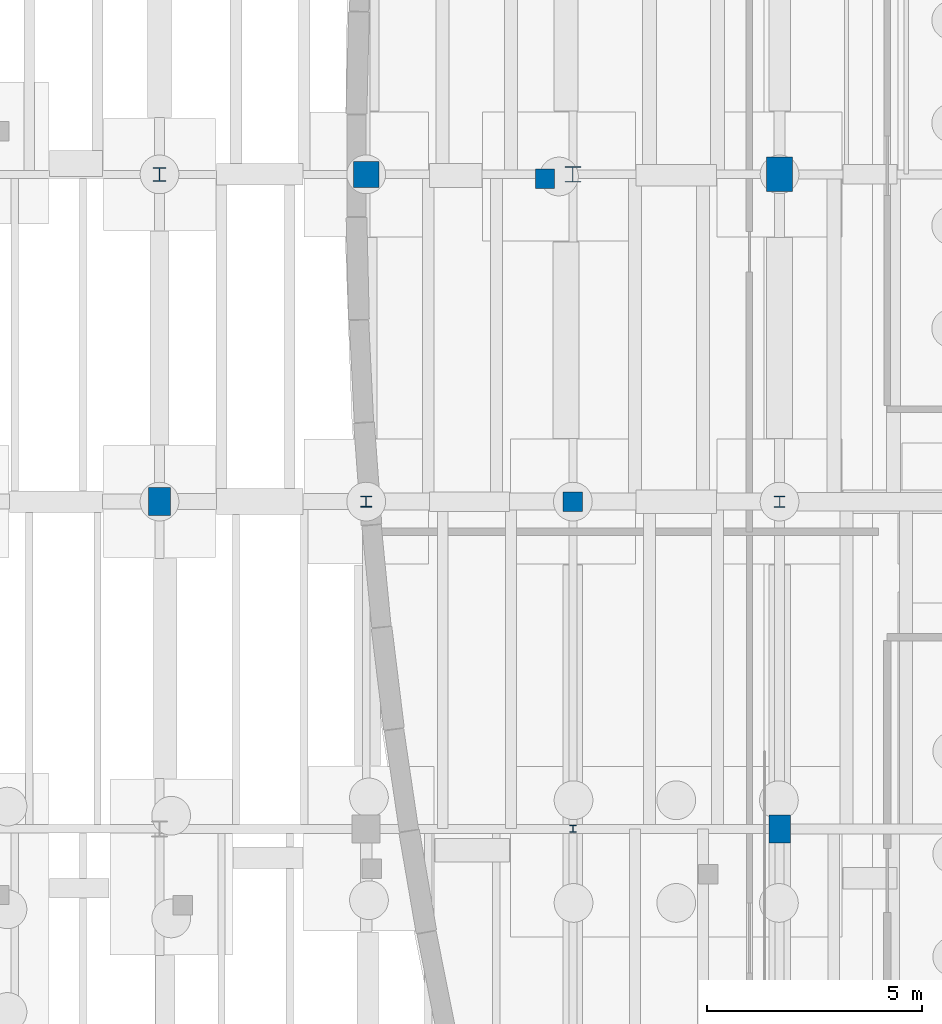
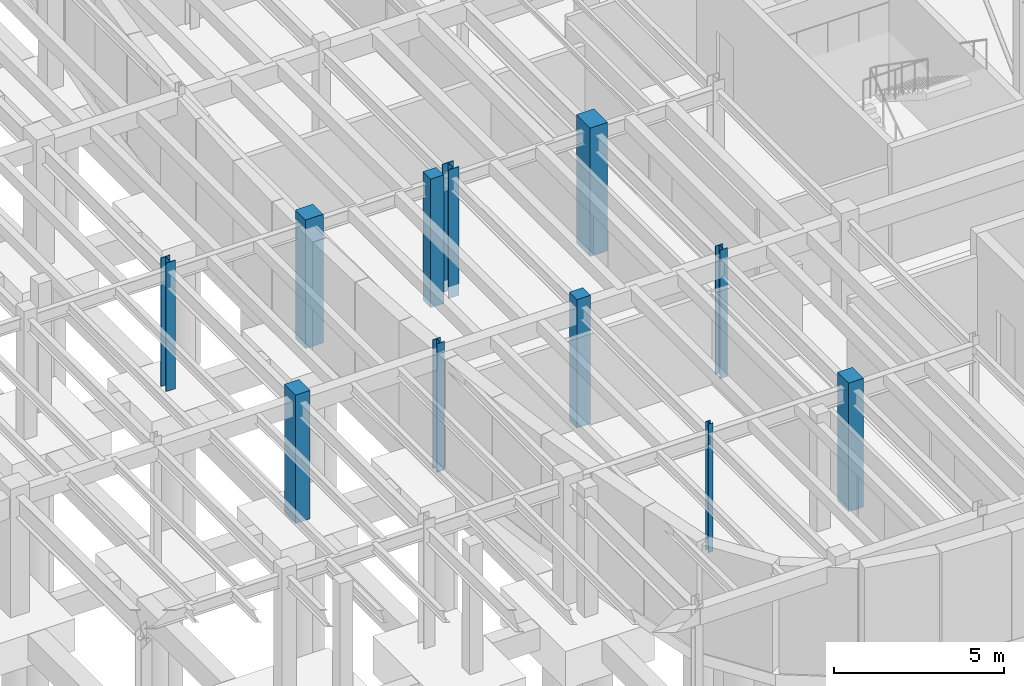
# One storey, part 20 of 45: 11 columns.
"""IFC4 building model written with IfcOpenShell, lengths in metres."""

from ifc_helpers import new_model, si_unit, direction, frame, origin, origin_2d, place, context, subcontext, project, spatial, rectangle, i_section, extrude, material, material_profile, profile_set, type_object, element, save


model = new_model("IFC4")

# Units and contexts
model_context = context("Model", 3, precision=1e-05, world=origin(), true_north=direction((0.0, 1.0)))
body_context = subcontext(model_context, "Body", "Model", "MODEL_VIEW")
ifc_project = project(units=[si_unit("LENGTHUNIT", "METRE"), si_unit("AREAUNIT", "SQUARE_METRE"), si_unit("VOLUMEUNIT", "CUBIC_METRE"), si_unit("PLANEANGLEUNIT", "RADIAN"), si_unit("MASSUNIT", "GRAM", prefix="KILO")], contexts=[model_context])

# Site, building, storey
site_placement = place(None, origin())
site = spatial("IfcSite", under=ifc_project, at=site_placement, CompositionType="ELEMENT")
building_placement = place(site_placement, origin())
building = spatial("IfcBuilding", under=site, at=building_placement, Name="Corveleigh Park Community Centre", CompositionType="ELEMENT")
storey_placement = place(building_placement, frame((0.0, 0.0, -4.199951171875)))
storey = spatial("IfcBuildingStorey", under=building, at=storey_placement, Name="B1", CompositionType="ELEMENT", Elevation=-4.199951171875)

# Columns
ifc_material_1 = material(Name="Concrete C40/50", Category="concrete")
ifc_material_profile_1 = material_profile(ifc_material_1, rectangle(XDim=0.449951171875, YDim=0.449951171875, at=origin_2d()), Name="RC-450x450", Category="concrete")
ifc_profile_set_1 = profile_set([ifc_material_profile_1], Name="Concrete C40/50")
column_type_1 = type_object("IfcColumnType", Name="COL-RC-450x450", PredefinedType="COLUMN", material=ifc_profile_set_1)
for number, where, z_axis, x_axis, name in (
    (1, (149.0, 73.800048828125, -0.4150390625), (0.0, 0.0, 1.0), (1.0, 0.0, 0.0), "Column V4-X4Y2 B1"),
    (2, (148.35302734375, 81.300048828125, -0.4150390625), (0.0, 0.0, 1.0), (1.0, 0.0, 0.0), "External deck support pier 138 B1"),
):
    element("IfcColumn", number, at=place(storey_placement, frame(where, z_axis=z_axis, x_axis=x_axis)), inside=storey, type_object=column_type_1, Name=name, PredefinedType="COLUMN", context=body_context, shape_type="SweptSolid", body=[
        extrude(rectangle(XDim=0.449951171875, YDim=0.449951171875, at=origin_2d()), origin(), (0.0, 0.0, 1.0), 4.614990234375),
    ])
ifc_material_profile_2 = material_profile(ifc_material_1, rectangle(XDim=0.5, YDim=0.64990234375, at=origin_2d()), Name="RC-500x650", Category="concrete")
ifc_profile_set_2 = profile_set([ifc_material_profile_2], Name="Concrete C40/50")
column_type_2 = type_object("IfcColumnType", Name="COL-RC-500x650", PredefinedType="COLUMN", material=ifc_profile_set_2)
for number, where, z_axis, x_axis, name in (
    (3, (139.39990234375, 73.800048828125, -0.4150390625), (0.0, 0.0, 1.0), (1.0, 0.0, 0.0), "Column V4-X2Y2 B1"),
    (4, (153.800048828125, 66.199951171875, -0.4150390625), (0.0, 0.0, 1.0), (1.0, 0.0, 0.0), "Column V4-X5Y1 B1"),
):
    element("IfcColumn", number, at=place(storey_placement, frame(where, z_axis=z_axis, x_axis=x_axis)), inside=storey, type_object=column_type_2, Name=name, PredefinedType="COLUMN", context=body_context, shape_type="SweptSolid", body=[
        extrude(rectangle(XDim=0.5, YDim=0.64990234375, at=origin_2d()), origin(), (0.0, 0.0, 1.0), 4.614990234375),
    ])
ifc_material_profile_3 = material_profile(ifc_material_1, rectangle(XDim=0.60009765625, YDim=0.60009765625, at=origin_2d()), Name="RC-600x600", Category="concrete")
ifc_profile_set_3 = profile_set([ifc_material_profile_3], Name="Concrete C40/50")
column_type_3 = type_object("IfcColumnType", Name="COL-RC-600x600", PredefinedType="COLUMN", material=ifc_profile_set_3)
column_1_placement = place(storey_placement, frame((144.199951171875, 81.39990234375, -0.4150390625), z_axis=(0.0, 0.0, 1.0), x_axis=(1.0, 0.0, 0.0)))
element("IfcColumn", 5, at=column_1_placement, inside=storey, type_object=column_type_3, Name="Column V4-X3Y3 B1", PredefinedType="COLUMN", context=body_context, shape_type="SweptSolid", body=[
    extrude(rectangle(XDim=0.60009765625, YDim=0.60009765625, at=origin_2d()), origin(), (0.0, 0.0, 1.0), 4.614990234375),
])
ifc_material_profile_4 = material_profile(ifc_material_1, rectangle(XDim=0.60009765625, YDim=0.800048828125, at=origin_2d()), Name="RC-600x800", Category="concrete")
ifc_profile_set_4 = profile_set([ifc_material_profile_4], Name="Concrete C40/50")
column_type_4 = type_object("IfcColumnType", Name="COL-RC-600x800", PredefinedType="COLUMN", material=ifc_profile_set_4)
column_2_placement = place(storey_placement, frame((153.800048828125, 81.39990234375, -0.4150390625), z_axis=(0.0, 0.0, 1.0), x_axis=(1.0, 0.0, 0.0)))
element("IfcColumn", 6, at=column_2_placement, inside=storey, type_object=column_type_4, Name="Column V4-X5Y3 B1", PredefinedType="COLUMN", context=body_context, shape_type="SweptSolid", body=[
    extrude(rectangle(XDim=0.60009765625, YDim=0.800048828125, at=origin_2d()), origin(), (0.0, 0.0, 1.0), 4.614990234375),
])
ifc_material_2 = material(Name="Steel S355", Category="steel")
ifc_material_profile_5 = material_profile(ifc_material_2, i_section(OverallWidth=0.154296875, OverallDepth=0.161865234375, WebThickness=0.008056640625, FlangeThickness=0.011474609375, at=origin_2d()), Name="UKC 152x152x37", Category="steel")
ifc_profile_set_5 = profile_set([ifc_material_profile_5], Name="Steel S355")
column_type_5 = type_object("IfcColumnType", Name="COL-STL-UKC152x37", PredefinedType="COLUMN", material=ifc_profile_set_5)
column_3_placement = place(storey_placement, frame((149.0, 66.199951171875, -0.4150390625), z_axis=(0.0, 0.0, 1.0), x_axis=(1.0, 0.0, 0.0)))
element("IfcColumn", 7, at=column_3_placement, inside=storey, type_object=column_type_5, Name="Column V4-X4Y1 B1", PredefinedType="COLUMN", context=body_context, shape_type="SweptSolid", body=[
    extrude(i_section(OverallWidth=0.154296875, OverallDepth=0.161865234375, WebThickness=0.008056640625, FlangeThickness=0.011474609375, at=origin_2d()), origin(), (0.0, 0.0, 1.0), 4.614990234375),
])
ifc_material_profile_6 = material_profile(ifc_material_2, i_section(OverallWidth=0.2587890625, OverallDepth=0.2666015625, WebThickness=0.0126953125, FlangeThickness=0.0205078125, at=origin_2d()), Name="UKC 254x254x107", Category="steel")
ifc_profile_set_6 = profile_set([ifc_material_profile_6], Name="Steel S355")
column_type_6 = type_object("IfcColumnType", Name="COL-STL-UKC254x107", PredefinedType="COLUMN", material=ifc_profile_set_6)
column_4_placement = place(storey_placement, frame((153.800048828125, 73.800048828125, -0.4150390625), z_axis=(0.0, 0.0, 1.0), x_axis=(1.0, 0.0, 0.0)))
element("IfcColumn", 8, at=column_4_placement, inside=storey, type_object=column_type_6, Name="Column V4-X5Y2 B1", PredefinedType="COLUMN", context=body_context, shape_type="SweptSolid", body=[
    extrude(i_section(OverallWidth=0.2587890625, OverallDepth=0.2666015625, WebThickness=0.0126953125, FlangeThickness=0.0205078125, at=origin_2d()), origin(), (0.0, 0.0, 1.0), 4.614990234375),
])
ifc_material_profile_7 = material_profile(ifc_material_2, i_section(OverallWidth=0.25634765625, OverallDepth=0.26025390625, WebThickness=0.01025390625, FlangeThickness=0.017333984375, at=origin_2d()), Name="UKC 254x254x89", Category="steel")
ifc_profile_set_7 = profile_set([ifc_material_profile_7], Name="Steel S355")
column_type_7 = type_object("IfcColumnType", Name="COL-STL-UKC254x89", PredefinedType="COLUMN", material=ifc_profile_set_7)
column_5_placement = place(storey_placement, frame((144.199951171875, 73.800048828125, -0.4150390625), z_axis=(0.0, 0.0, 1.0), x_axis=(1.0, 0.0, 0.0)))
element("IfcColumn", 9, at=column_5_placement, inside=storey, type_object=column_type_7, Name="Column V4-X3Y2 B1", PredefinedType="COLUMN", context=body_context, shape_type="SweptSolid", body=[
    extrude(i_section(OverallWidth=0.25634765625, OverallDepth=0.26025390625, WebThickness=0.01025390625, FlangeThickness=0.017333984375, at=origin_2d()), origin(), (0.0, 0.0, 1.0), 4.614990234375),
])
ifc_material_profile_8 = material_profile(ifc_material_2, i_section(OverallWidth=0.311279296875, OverallDepth=0.3271484375, WebThickness=0.015869140625, FlangeThickness=0.02490234375, at=origin_2d()), Name="UKC 305x305x158", Category="steel")
ifc_profile_set_8 = profile_set([ifc_material_profile_8], Name="Steel S355")
column_type_8 = type_object("IfcColumnType", Name="COL-STL-UKC305x158", PredefinedType="COLUMN", material=ifc_profile_set_8)
column_6_placement = place(storey_placement, frame((139.39990234375, 81.39990234375, -0.4150390625), z_axis=(0.0, 0.0, 1.0), x_axis=(1.0, 0.0, 0.0)))
element("IfcColumn", 10, at=column_6_placement, inside=storey, type_object=column_type_8, Name="Column V4-X2Y3 B1", PredefinedType="COLUMN", context=body_context, shape_type="SweptSolid", body=[
    extrude(i_section(OverallWidth=0.311279296875, OverallDepth=0.3271484375, WebThickness=0.015869140625, FlangeThickness=0.02490234375, at=origin_2d()), origin(), (0.0, 0.0, 1.0), 4.614990234375),
])
ifc_material_profile_9 = material_profile(ifc_material_2, i_section(OverallWidth=0.37060546875, OverallDepth=0.362060546875, WebThickness=0.01220703125, FlangeThickness=0.020751953125, at=origin_2d()), Name="UKC 356x368x153", Category="steel")
ifc_profile_set_9 = profile_set([ifc_material_profile_9], Name="Steel S355")
column_type_9 = type_object("IfcColumnType", Name="COL-STL-UKC356x153", PredefinedType="COLUMN", material=ifc_profile_set_9)
column_7_placement = place(storey_placement, frame((149.0, 81.39990234375, -0.4150390625), z_axis=(0.0, 0.0, 1.0), x_axis=(1.0, 0.0, 0.0)))
element("IfcColumn", 11, at=column_7_placement, inside=storey, type_object=column_type_9, Name="Column V4-X4Y3 B1", PredefinedType="COLUMN", context=body_context, shape_type="SweptSolid", body=[
    extrude(i_section(OverallWidth=0.37060546875, OverallDepth=0.362060546875, WebThickness=0.01220703125, FlangeThickness=0.020751953125, at=origin_2d()), origin(), (0.0, 0.0, 1.0), 4.614990234375),
])

save(model, "model.ifc")
